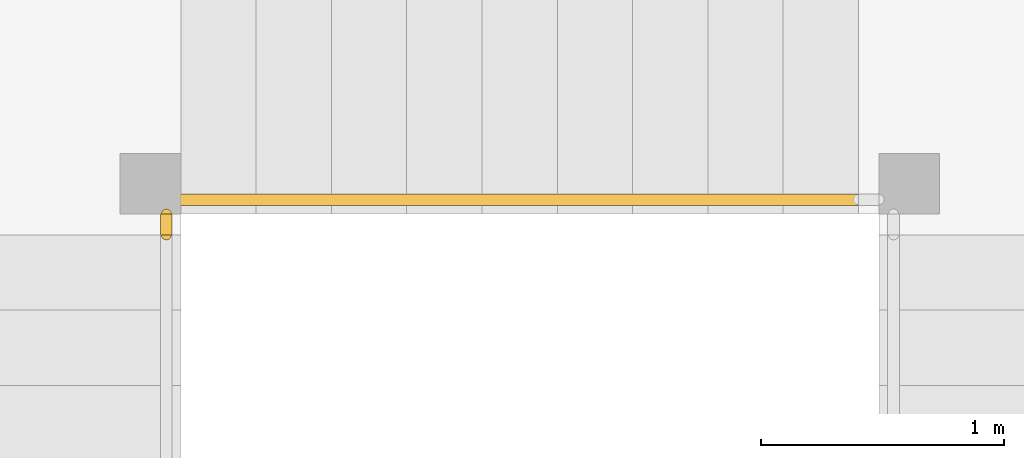
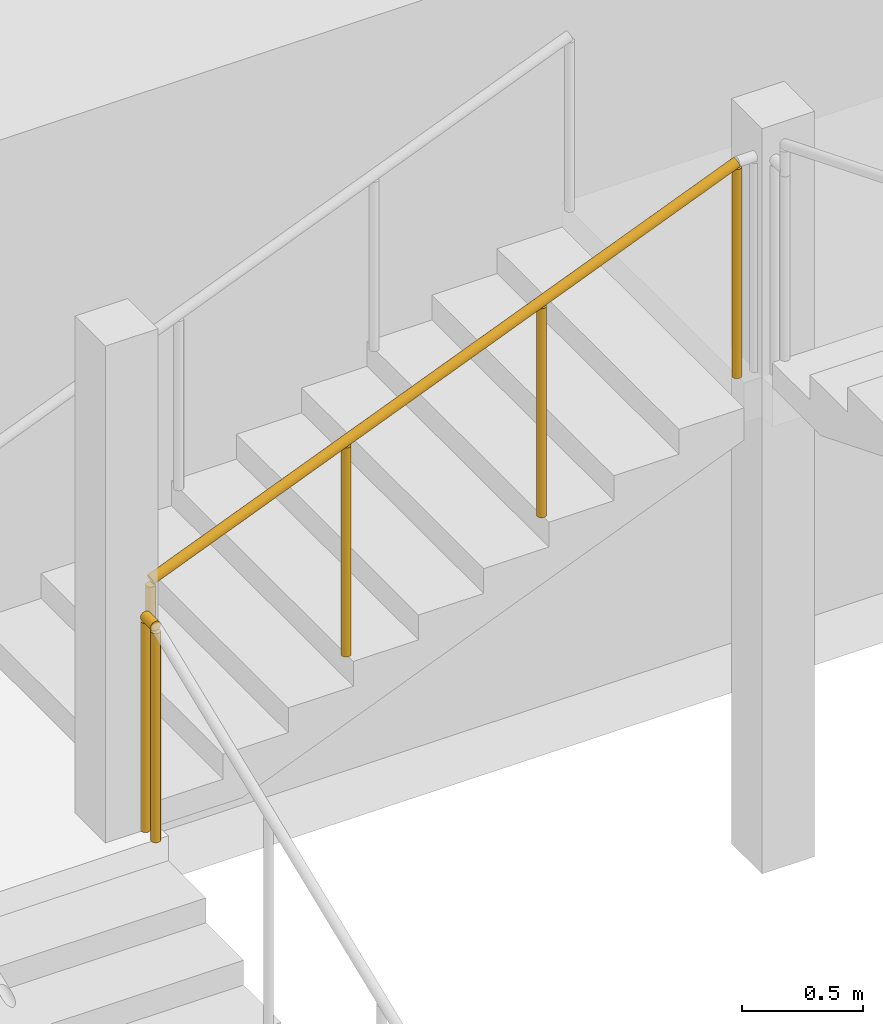
# One storey, part 37 of 40: 2 railings.
"""IFC4 building model written with IfcOpenShell, lengths in metres."""

from ifc_helpers import new_model, si_unit, direction, frame, origin, origin_2d, place, context, subcontext, project, spatial, circle, extrude, material, type_object, element, save


model = new_model("IFC4")

# Units and contexts
model_context = context("Model", 3, precision=1e-05, world=origin(), true_north=direction((0.0, 1.0)))
body_context = subcontext(model_context, "Body", "Model", "MODEL_VIEW")
ifc_project = project(units=[si_unit("LENGTHUNIT", "METRE"), si_unit("AREAUNIT", "SQUARE_METRE"), si_unit("VOLUMEUNIT", "CUBIC_METRE"), si_unit("PLANEANGLEUNIT", "RADIAN"), si_unit("MASSUNIT", "GRAM", prefix="KILO")], contexts=[model_context])

# Site, building, storey
site_placement = place(None, origin())
site = spatial("IfcSite", under=ifc_project, at=site_placement, CompositionType="ELEMENT")
building_placement = place(site_placement, origin())
building = spatial("IfcBuilding", under=site, at=building_placement, Name="Rekha Terrace Tower", CompositionType="ELEMENT")
storey_placement = place(building_placement, frame((0.0, 0.0, 213.949951171875)))
storey = spatial("IfcBuildingStorey", under=building, at=storey_placement, Name="L54", CompositionType="ELEMENT", Elevation=213.949951171875)

# Railings
ifc_material = material(Name="Stainless steel balustrade", Category="steel")
railing_type = type_object("IfcRailingType", Name="GR1 1100 stair guard", PredefinedType="GUARDRAIL", material=ifc_material)
railing_1_placement = place(storey_placement, frame((45.52490234375, 44.260009765625, 1.375)))
element("IfcRailing", 1, at=railing_1_placement, inside=storey, type_object=railing_type, Name="Guard ST2 L54 flight 2", PredefinedType="GUARDRAIL", context=body_context, shape_type="SweptSolid", body=[
    extrude(circle(Radius=0.02392578125, at=origin_2d()), frame((0.0, 0.0, 1.076171875), z_axis=(0.927443287984, 0.0, 0.373963831907), x_axis=(0.0, 1.0, 0.0)), (0.0, 0.0, 1.0), 3.00830078125),
    extrude(circle(Radius=0.02099609375, at=origin_2d()), origin(), (0.0, 0.0, 1.0), 1.052001953125),
    extrude(circle(Radius=0.02099609375, at=origin_2d()), frame((0.929931640625, 0.0, 0.375)), (0.0, 0.0, 1.0), 1.052001953125),
    extrude(circle(Radius=0.02099609375, at=origin_2d()), frame((1.860107421875, 0.0, 0.75)), (0.0, 0.0, 1.0), 1.052001953125),
    extrude(circle(Radius=0.02099609375, at=origin_2d()), frame((2.7900390625, 0.0, 1.125)), (0.0, 0.0, 1.0), 1.052001953125),
])
railing_2_placement = place(storey_placement, frame((45.465087890625, 44.114990234375, 1.25)))
element("IfcRailing", 2, at=railing_2_placement, inside=storey, type_object=railing_type, Name="Guard ST2 L54 landing 1", PredefinedType="GUARDRAIL", context=body_context, shape_type="SweptSolid", body=[
    extrude(circle(Radius=0.02392578125, at=origin_2d()), frame((0.0, 0.0, 1.076171875), z_axis=(0.0, 1.0, 0.0), x_axis=(-1.0, 0.0, 0.0)), (0.0, 0.0, 1.0), 0.0849609375),
    extrude(circle(Radius=0.02099609375, at=origin_2d()), origin(), (0.0, 0.0, 1.0), 1.052001953125),
    extrude(circle(Radius=0.02099609375, at=origin_2d()), frame((0.0, 0.0849609375, 0.0)), (0.0, 0.0, 1.0), 1.052001953125),
])

save(model, "model.ifc")
